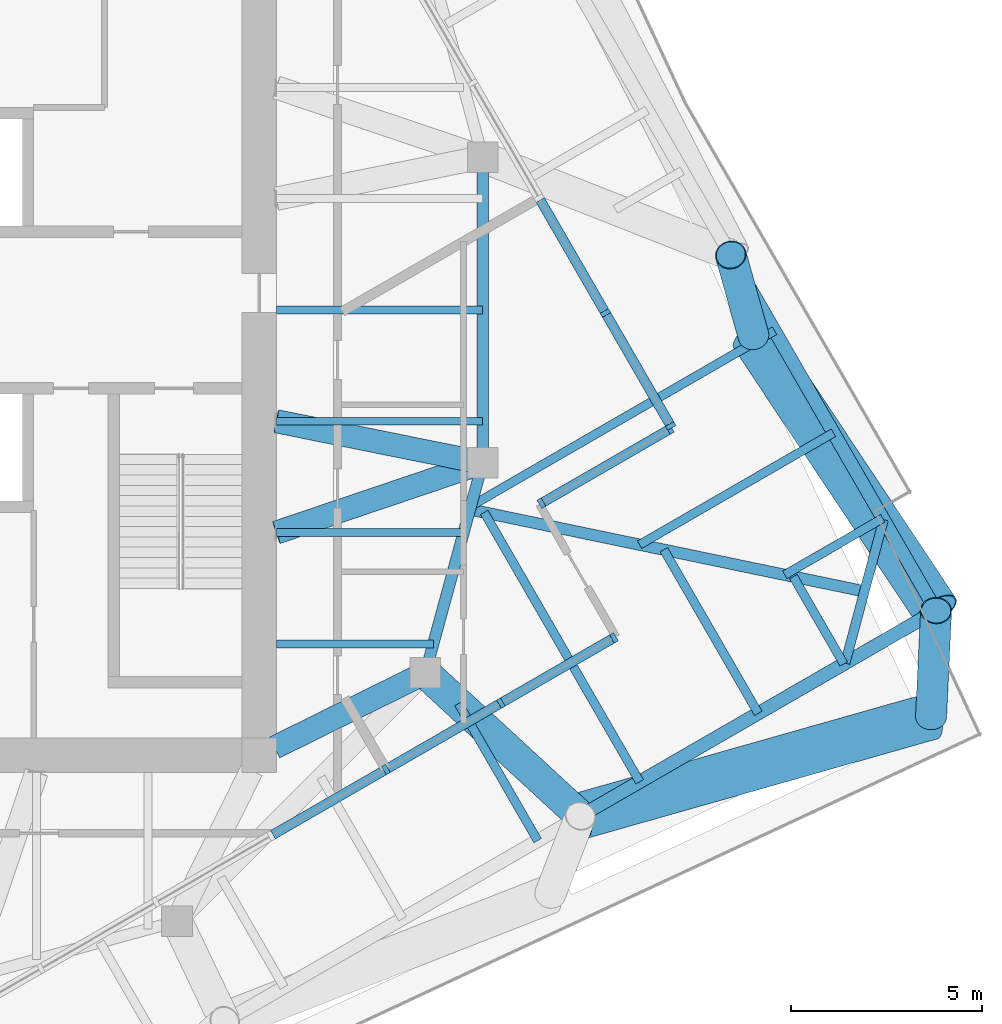
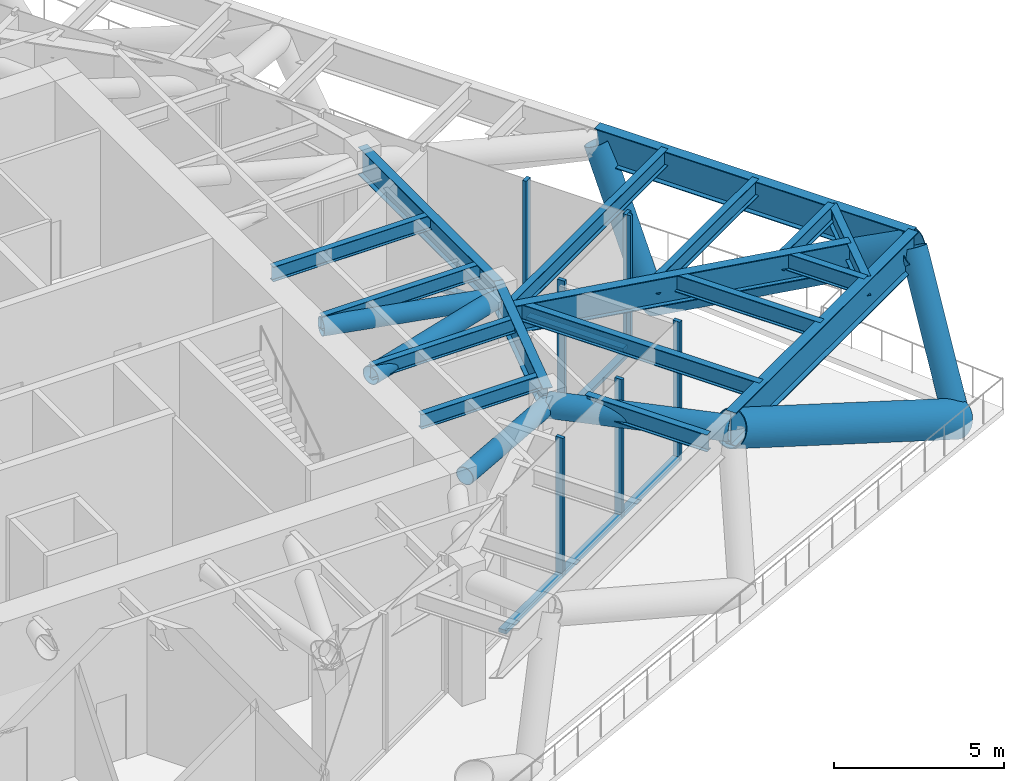
# One storey, part 3 of 12: 21 members, 17 beams, 3 elements without a shape of their own.
"""IFC4 building model written with IfcOpenShell, lengths in metres."""

from ifc_helpers import new_model, si_unit, direction, frame, origin, origin_2d, place, context, subcontext, project, spatial, rectangle, hollow_circle, i_section, extrude, material, material_profile, profile_set, type_object, element, aggregate, save


model = new_model("IFC4")

# Units and contexts
model_context = context("Model", 3, precision=1e-05, world=origin(), true_north=direction((0.0, 1.0)))
body_context = subcontext(model_context, "Body", "Model", "MODEL_VIEW")
ifc_project = project(units=[si_unit("LENGTHUNIT", "METRE"), si_unit("AREAUNIT", "SQUARE_METRE"), si_unit("VOLUMEUNIT", "CUBIC_METRE"), si_unit("PLANEANGLEUNIT", "RADIAN"), si_unit("MASSUNIT", "GRAM", prefix="KILO")], contexts=[model_context])

# Site, building, storey
site_placement = place(None, origin())
site = spatial("IfcSite", under=ifc_project, at=site_placement, CompositionType="ELEMENT")
building_placement = place(site_placement, origin())
building = spatial("IfcBuilding", under=site, at=building_placement, Name="Torsade Residences", CompositionType="ELEMENT")
storey_placement = place(building_placement, frame((0.0, 0.0, 203.199951171875)))
storey = spatial("IfcBuildingStorey", under=building, at=storey_placement, Name="L56", CompositionType="ELEMENT", Elevation=203.199951171875)

# Beams
ifc_material_1 = material(Name="Steel grade 300", Category="steel")
ifc_material_profile_1 = material_profile(ifc_material_1, i_section(OverallWidth=0.300048828125, OverallDepth=1.0, WebThickness=0.01611328125, FlangeThickness=0.028076171875, at=origin_2d()), Name="1000WB215")
ifc_profile_set_1 = profile_set([ifc_material_profile_1], Name="Steel grade 300")
beam_type_1 = type_object("IfcBeamType", Name="CORNER GIRDER 1000WB215", PredefinedType="BEAM", material=ifc_profile_set_1)
beam_1_placement = place(storey_placement, frame((67.4912109375, 22.6337890625, 4.35009765625), z_axis=(-0.979086612486, 0.203443862654, 0.0), x_axis=(-0.203443862654, -0.979086612486, 0.0)))
element("IfcBeam", 1, at=beam_1_placement, inside=storey, type_object=beam_type_1, Name="Corner girder 05 L57", PredefinedType="BEAM", context=body_context, shape_type="SweptSolid", body=[
    extrude(i_section(OverallWidth=0.300048828125, OverallDepth=1.0, WebThickness=0.01611328125, FlangeThickness=0.028076171875, at=origin_2d()), origin(), (0.0, 0.0, 1.0), 10.544677734375),
])
ifc_material_2 = material(Name="Steel grade 300", Category="steel")
ifc_material_profile_2 = material_profile(ifc_material_2, i_section(OverallWidth=0.25, OverallDepth=0.699951171875, WebThickness=0.010009765625, FlangeThickness=0.02001953125, at=origin_2d()), Name="700WB130")
ifc_profile_set_2 = profile_set([ifc_material_profile_2], Name="Steel grade 300")
beam_type_2 = type_object("IfcBeamType", Name="CORNER TRIMMER 700WB130", PredefinedType="BEAM", material=ifc_profile_set_2)
beam_2_placement = place(storey_placement, frame((67.99462890625, 24.511962890625, 4.5), z_axis=(-0.258822897619, -0.965924794002, 0.0), x_axis=(0.965924794002, -0.258822897619, 0.0)))
element("IfcBeam", 2, at=beam_2_placement, inside=storey, type_object=beam_type_2, Name="Corner trimmer 05 L57", PredefinedType="BEAM", context=body_context, shape_type="SweptSolid", body=[
    extrude(i_section(OverallWidth=0.25, OverallDepth=0.699951171875, WebThickness=0.010009765625, FlangeThickness=0.02001953125, at=origin_2d()), origin(), (0.0, 0.0, 1.0), 3.88916015625),
])

# Curtain wall, members
ifc_material_3 = material(Name="Aluminium and glass", Category="aluminium")
curtain_wall_type = type_object("IfcCurtainWallType", Name="TRANSFER LEVEL CURTAIN WALL HIGH ZONE", PredefinedType="NOTDEFINED", material=ifc_material_3)
curtain_wall_1_placement = place(storey_placement, origin())
curtain_wall_1 = element("IfcCurtainWall", 3, at=curtain_wall_1_placement, inside=storey, type_object=curtain_wall_type, Name="Curtain wall L56 face 1", PredefinedType="NOTDEFINED")
ifc_material_4 = material(Name="Aluminium mullion", Category="aluminium")
ifc_material_profile_3 = material_profile(ifc_material_4, rectangle(XDim=0.25, YDim=0.1201171875, at=origin_2d()), Name="HIGH ZONE TRANSFER CURTAIN WALL MULLION 250x120")
ifc_profile_set_3 = profile_set([ifc_material_profile_3], Name="Aluminium mullion")
member_type_1 = type_object("IfcMemberType", Name="HIGH ZONE TRANSFER CURTAIN WALL MULLION 250x120", PredefinedType="MULLION", material=ifc_profile_set_3)
member_1_placement = place(storey_placement, frame((54.968994140625, 17.97314453125, 0.0), z_axis=(0.0, 0.0, 1.0), x_axis=(-0.500000003507, 0.86602540176, 0.0)))
member_1 = element("IfcMember", 4, at=member_1_placement, type_object=member_type_1, Name="Mullion 7", PredefinedType="MULLION", context=body_context, shape_type="SweptSolid", body=[
    extrude(rectangle(XDim=0.25, YDim=0.1201171875, at=origin_2d()), origin(), (0.0, 0.0, 1.0), 5.0),
])
member_2_placement = place(storey_placement, frame((57.978271484375, 19.710693359375, 0.0), z_axis=(0.0, 0.0, 1.0), x_axis=(-0.500000003507, 0.86602540176, 0.0)))
member_2 = element("IfcMember", 5, at=member_2_placement, type_object=member_type_1, Name="Mullion 8", PredefinedType="MULLION", context=body_context, shape_type="SweptSolid", body=[
    extrude(rectangle(XDim=0.25, YDim=0.1201171875, at=origin_2d()), origin(), (0.0, 0.0, 1.0), 5.0),
])
member_3_placement = place(storey_placement, frame((60.935791015625, 21.418212890625, 0.0), z_axis=(0.0, 0.0, 1.0), x_axis=(-0.500000003507, 0.86602540176, 0.0)))
member_3 = element("IfcMember", 6, at=member_3_placement, type_object=member_type_1, Name="Mullion 9", PredefinedType="MULLION", context=body_context, shape_type="SweptSolid", body=[
    extrude(rectangle(XDim=0.25, YDim=0.1201171875, at=origin_2d()), origin(), (0.0, 0.0, 1.0), 5.0),
])

curtain_wall_2_placement = place(storey_placement, origin())
curtain_wall_2 = element("IfcCurtainWall", 7, at=curtain_wall_2_placement, inside=storey, type_object=curtain_wall_type, Name="Curtain wall L56 face 3", PredefinedType="NOTDEFINED")
member_4_placement = place(storey_placement, frame((59.039794921875, 24.942138671875, 0.0), z_axis=(0.0, 0.0, 1.0), x_axis=(-0.499999958343, 0.866025427835, 0.0)))
member_4 = element("IfcMember", 8, at=member_4_placement, type_object=member_type_1, Name="Mullion 1", PredefinedType="MULLION", context=body_context, shape_type="SweptSolid", body=[
    extrude(rectangle(XDim=0.25, YDim=0.1201171875, at=origin_2d()), origin(), (0.0, 0.0, 1.0), 5.0),
])
member_5_placement = place(storey_placement, frame((62.39990234375, 26.88232421875, 0.0), z_axis=(0.0, 0.0, 1.0), x_axis=(-0.499999958343, 0.866025427835, 0.0)))
member_5 = element("IfcMember", 9, at=member_5_placement, type_object=member_type_1, Name="Mullion 2", PredefinedType="MULLION", context=body_context, shape_type="SweptSolid", body=[
    extrude(rectangle(XDim=0.25, YDim=0.1201171875, at=origin_2d()), origin(), (0.0, 0.0, 1.0), 5.0),
])

curtain_wall_3_placement = place(storey_placement, origin())
curtain_wall_3 = element("IfcCurtainWall", 10, at=curtain_wall_3_placement, inside=storey, type_object=curtain_wall_type, Name="Curtain wall L56 face 4", PredefinedType="NOTDEFINED")
member_6_placement = place(storey_placement, frame((62.421875, 26.964111328125, 0.0), z_axis=(0.0, 0.0, 1.0), x_axis=(-0.86602540176, -0.500000003507, 0.0)))
member_6 = element("IfcMember", 11, at=member_6_placement, type_object=member_type_1, Name="Mullion 1", PredefinedType="MULLION", context=body_context, shape_type="SweptSolid", body=[
    extrude(rectangle(XDim=0.25, YDim=0.1201171875, at=origin_2d()), origin(), (0.0, 0.0, 1.0), 5.0),
])
member_7_placement = place(storey_placement, frame((60.71435546875, 29.921630859375, 0.0), z_axis=(0.0, 0.0, 1.0), x_axis=(-0.86602540176, -0.500000003507, 0.0)))
member_7 = element("IfcMember", 12, at=member_7_placement, type_object=member_type_1, Name="Mullion 2", PredefinedType="MULLION", context=body_context, shape_type="SweptSolid", body=[
    extrude(rectangle(XDim=0.25, YDim=0.1201171875, at=origin_2d()), origin(), (0.0, 0.0, 1.0), 5.0),
])

# Member
ifc_material_5 = material(Name="Aluminium transom", Category="aluminium")
ifc_material_profile_4 = material_profile(ifc_material_5, rectangle(XDim=0.25, YDim=0.139892578125, at=origin_2d()), Name="HIGH ZONE TRANSFER CURTAIN WALL TRANSOM 250x140")
ifc_profile_set_4 = profile_set([ifc_material_profile_4], Name="Aluminium transom")
member_type_2 = type_object("IfcMemberType", Name="HIGH ZONE TRANSFER CURTAIN WALL TRANSOM 250x140", PredefinedType="USERDEFINED", material=ifc_profile_set_4)
member_8_placement = place(storey_placement, frame((52.011474609375, 16.265625, 0.070068359375), z_axis=(0.866026839176, 0.499997513821, 0.0), x_axis=(-0.499997513821, 0.866026839176, 0.0)))
member_8 = element("IfcMember", 13, at=member_8_placement, type_object=member_type_2, Name="Transom 6.1", ObjectType="TRANSOM", PredefinedType="USERDEFINED", context=body_context, shape_type="SweptSolid", body=[
    extrude(rectangle(XDim=0.25, YDim=0.139892578125, at=origin_2d()), origin(), (0.0, 0.0, 1.0), 3.35498046875),
])

member_9_placement = place(storey_placement, frame((55.020751953125, 18.003173828125, 0.070068359375), z_axis=(0.866026839176, 0.499997513821, 0.0), x_axis=(-0.499997513821, 0.866026839176, 0.0)))
member_9 = element("IfcMember", 14, at=member_9_placement, type_object=member_type_2, Name="Transom 7.1", ObjectType="TRANSOM", PredefinedType="USERDEFINED", context=body_context, shape_type="SweptSolid", body=[
    extrude(rectangle(XDim=0.25, YDim=0.139892578125, at=origin_2d()), origin(), (0.0, 0.0, 1.0), 3.35498046875),
])

member_10_placement = place(storey_placement, frame((58.0302734375, 19.74072265625, 0.070068359375), z_axis=(0.866027647951, 0.499996112969, 0.0), x_axis=(-0.499996112969, 0.866027647951, 0.0)))
member_10 = element("IfcMember", 15, at=member_10_placement, type_object=member_type_2, Name="Transom 8.1", ObjectType="TRANSOM", PredefinedType="USERDEFINED", context=body_context, shape_type="SweptSolid", body=[
    extrude(rectangle(XDim=0.25, YDim=0.139892578125, at=origin_2d()), origin(), (0.0, 0.0, 1.0), 3.294921875),
])

aggregate(curtain_wall_1, [member_1, member_2, member_3, member_8, member_9, member_10])

member_11_placement = place(storey_placement, frame((59.091796875, 24.97216796875, 0.070068359375), z_axis=(0.866000675424, 0.50004282833, 0.0), x_axis=(-0.50004282833, 0.866000675424, 0.0)))
member_11 = element("IfcMember", 16, at=member_11_placement, type_object=member_type_2, Name="Transom 1.1", ObjectType="TRANSOM", PredefinedType="USERDEFINED", context=body_context, shape_type="SweptSolid", body=[
    extrude(rectangle(XDim=0.25, YDim=0.139892578125, at=origin_2d()), origin(), (0.0, 0.0, 1.0), 3.760009765625),
])

aggregate(curtain_wall_2, [member_4, member_5, member_11])

member_12_placement = place(storey_placement, frame((62.391845703125, 27.01611328125, 0.070068359375), z_axis=(-0.499996112969, 0.866027647951, 0.0), x_axis=(-0.866027647951, -0.499996112969, 0.0)))
member_12 = element("IfcMember", 17, at=member_12_placement, type_object=member_type_2, Name="Transom 1.1", ObjectType="TRANSOM", PredefinedType="USERDEFINED", context=body_context, shape_type="SweptSolid", body=[
    extrude(rectangle(XDim=0.25, YDim=0.139892578125, at=origin_2d()), origin(), (0.0, 0.0, 1.0), 3.294921875),
])

member_13_placement = place(storey_placement, frame((60.684326171875, 29.9736328125, 0.070068359375), z_axis=(-0.499997513821, 0.866026839176, 0.0), x_axis=(-0.866026839176, -0.499997513821, 0.0)))
member_13 = element("IfcMember", 18, at=member_13_placement, type_object=member_type_2, Name="Transom 2.1", ObjectType="TRANSOM", PredefinedType="USERDEFINED", context=body_context, shape_type="SweptSolid", body=[
    extrude(rectangle(XDim=0.25, YDim=0.139892578125, at=origin_2d()), origin(), (0.0, 0.0, 1.0), 3.35498046875),
])

aggregate(curtain_wall_3, [member_6, member_7, member_12, member_13])

# Beams
ifc_material_6 = material(Name="Steel grade 300", Category="steel")
ifc_material_profile_5 = material_profile(ifc_material_6, i_section(OverallWidth=0.208984375, OverallDepth=0.528076171875, WebThickness=0.009521484375, FlangeThickness=0.01318359375, FilletRadius=0.013916015625, at=origin_2d()), Name="530UB82.0")
ifc_profile_set_5 = profile_set([ifc_material_profile_5], Name="Steel grade 300")
beam_type_3 = type_object("IfcBeamType", Name="INNER FLOOR BEAM 530UB82.0", PredefinedType="JOIST", material=ifc_profile_set_5)
beam_3_placement = place(storey_placement, frame((52.10009765625, 21.262451171875, 4.5859375), z_axis=(1.0, 0.0, 0.0), x_axis=(0.0, 1.0, 0.0)))
element("IfcBeam", 19, at=beam_3_placement, inside=storey, type_object=beam_type_3, Name="Inner floor beam IE01 L57", PredefinedType="JOIST", context=body_context, shape_type="SweptSolid", body=[
    extrude(i_section(OverallWidth=0.208984375, OverallDepth=0.528076171875, WebThickness=0.009521484375, FlangeThickness=0.01318359375, FilletRadius=0.013916015625, at=origin_2d()), origin(), (0.0, 0.0, 1.0), 4.10791015625),
])
beam_4_placement = place(storey_placement, frame((52.10009765625, 24.175048828125, 4.5859375), z_axis=(1.0, 0.0, 0.0), x_axis=(0.0, 1.0, 0.0)))
element("IfcBeam", 20, at=beam_4_placement, inside=storey, type_object=beam_type_3, Name="Inner floor beam IE02 L57", PredefinedType="JOIST", context=body_context, shape_type="SweptSolid", body=[
    extrude(i_section(OverallWidth=0.208984375, OverallDepth=0.528076171875, WebThickness=0.009521484375, FlangeThickness=0.01318359375, FilletRadius=0.013916015625, at=origin_2d()), origin(), (0.0, 0.0, 1.0), 4.902099609375),
])
for number, where, z_axis, x_axis, name in (
    (21, (52.10009765625, 27.08740234375, 4.5859375), (1.0, 0.0, 0.0), (0.0, 1.0, 0.0), "Inner floor beam IE03 L57"),
    (22, (52.10009765625, 30.0, 4.5859375), (1.0, 0.0, 0.0), (0.0, 1.0, 0.0), "Inner floor beam IE04 L57"),
):
    element("IfcBeam", number, at=place(storey_placement, frame(where, z_axis=z_axis, x_axis=x_axis)), inside=storey, type_object=beam_type_3, Name=name, PredefinedType="JOIST", context=body_context, shape_type="SweptSolid", body=[
        extrude(i_section(OverallWidth=0.208984375, OverallDepth=0.528076171875, WebThickness=0.009521484375, FlangeThickness=0.01318359375, FilletRadius=0.013916015625, at=origin_2d()), origin(), (0.0, 0.0, 1.0), 5.39990234375),
    ])
ifc_material_7 = material(Name="Steel grade 300", Category="steel")
ifc_material_profile_6 = material_profile(ifc_material_7, i_section(OverallWidth=0.300048828125, OverallDepth=1.0, WebThickness=0.01611328125, FlangeThickness=0.028076171875, at=origin_2d()), Name="1000WB215")
ifc_profile_set_6 = profile_set([ifc_material_profile_6], Name="Steel grade 300")
beam_type_4 = type_object("IfcBeamType", Name="RING GIRDER 1000WB215", PredefinedType="BEAM", material=ifc_profile_set_6)
beam_5_placement = place(storey_placement, frame((57.5, 26.0, 4.35009765625), z_axis=(0.0, 1.0, 0.0), x_axis=(-1.0, 0.0, 0.0)))
element("IfcBeam", 23, at=beam_5_placement, inside=storey, type_object=beam_type_4, Name="Ring girder IR01 L57", PredefinedType="BEAM", context=body_context, shape_type="SweptSolid", body=[
    extrude(i_section(OverallWidth=0.300048828125, OverallDepth=1.0, WebThickness=0.01611328125, FlangeThickness=0.028076171875, at=origin_2d()), origin(), (0.0, 0.0, 1.0), 8.0),
])
beam_6_placement = place(storey_placement, frame((56.0, 20.5, 4.35009765625), z_axis=(0.263117405792, 0.964763821238, 0.0), x_axis=(-0.964763821238, 0.263117405792, 0.0)))
element("IfcBeam", 24, at=beam_6_placement, inside=storey, type_object=beam_type_4, Name="Ring girder IR16 L57", PredefinedType="BEAM", context=body_context, shape_type="SweptSolid", body=[
    extrude(i_section(OverallWidth=0.300048828125, OverallDepth=1.0, WebThickness=0.01611328125, FlangeThickness=0.028076171875, at=origin_2d()), origin(), (0.0, 0.0, 1.0), 5.700927734375),
])
ifc_material_8 = material(Name="Steel grade 300", Category="steel")
ifc_material_profile_7 = material_profile(ifc_material_8, i_section(OverallWidth=0.22900390625, OverallDepth=0.612060546875, WebThickness=0.011962890625, FlangeThickness=0.01953125, FilletRadius=0.013916015625, at=origin_2d()), Name="610UB125")
ifc_profile_set_7 = profile_set([ifc_material_profile_7], Name="Steel grade 300")
beam_type_5 = type_object("IfcBeamType", Name="SECONDARY BEAM 610UB125", PredefinedType="JOIST", material=ifc_profile_set_7)
beam_7_placement = place(storey_placement, frame((58.941162109375, 16.109619140625, 4.5439453125), z_axis=(-0.499979160215, 0.866037435306, 0.0), x_axis=(-0.866037435306, -0.499979160215, 0.0)))
element("IfcBeam", 25, at=beam_7_placement, inside=storey, type_object=beam_type_5, Name="Floor beam FS09 L57", PredefinedType="JOIST", context=body_context, shape_type="SweptSolid", body=[
    extrude(i_section(OverallWidth=0.22900390625, OverallDepth=0.612060546875, WebThickness=0.011962890625, FlangeThickness=0.01953125, FilletRadius=0.013916015625, at=origin_2d()), origin(), (0.0, 0.0, 1.0), 4.143798828125),
])
beam_8_placement = place(storey_placement, frame((61.611328125, 17.6513671875, 4.5439453125), z_axis=(-0.500009753642, 0.866019772443, 0.0), x_axis=(-0.866019772443, -0.500009753642, 0.0)))
element("IfcBeam", 26, at=beam_8_placement, inside=storey, type_object=beam_type_5, Name="Floor beam FS10 L57", PredefinedType="JOIST", context=body_context, shape_type="SweptSolid", body=[
    extrude(i_section(OverallWidth=0.22900390625, OverallDepth=0.612060546875, WebThickness=0.011962890625, FlangeThickness=0.01953125, FilletRadius=0.013916015625, at=origin_2d()), origin(), (0.0, 0.0, 1.0), 8.140380859375),
])
beam_9_placement = place(storey_placement, frame((64.714599609375, 19.44287109375, 4.5439453125), z_axis=(-0.499963270073, 0.866046608779, 0.0), x_axis=(-0.866046608779, -0.499963270073, 0.0)))
element("IfcBeam", 27, at=beam_9_placement, inside=storey, type_object=beam_type_5, Name="Floor beam FS11 L57", PredefinedType="JOIST", context=body_context, shape_type="SweptSolid", body=[
    extrude(i_section(OverallWidth=0.22900390625, OverallDepth=0.612060546875, WebThickness=0.011962890625, FlangeThickness=0.01953125, FilletRadius=0.013916015625, at=origin_2d()), origin(), (0.0, 0.0, 1.0), 4.943603515625),
])
beam_10_placement = place(storey_placement, frame((66.951904296875, 20.734619140625, 4.5439453125), z_axis=(-0.500029427677, 0.866008413041, 0.0), x_axis=(-0.866008413041, -0.500029427677, 0.0)))
element("IfcBeam", 28, at=beam_10_placement, inside=storey, type_object=beam_type_5, Name="Floor beam FS12 L57", PredefinedType="JOIST", context=body_context, shape_type="SweptSolid", body=[
    extrude(i_section(OverallWidth=0.22900390625, OverallDepth=0.612060546875, WebThickness=0.011962890625, FlangeThickness=0.01953125, FilletRadius=0.013916015625, at=origin_2d()), origin(), (0.0, 0.0, 1.0), 2.638916015625),
])
beam_11_placement = place(storey_placement, frame((67.9736328125, 24.548095703125, 4.5439453125), z_axis=(-0.866023667193, -0.500003007852, 0.0), x_axis=(0.500003007852, -0.866023667193, 0.0)))
element("IfcBeam", 29, at=beam_11_placement, inside=storey, type_object=beam_type_5, Name="Floor beam FE01 L57", PredefinedType="JOIST", context=body_context, shape_type="SweptSolid", body=[
    extrude(i_section(OverallWidth=0.22900390625, OverallDepth=0.612060546875, WebThickness=0.011962890625, FlangeThickness=0.01953125, FilletRadius=0.013916015625, at=origin_2d()), origin(), (0.0, 0.0, 1.0), 2.962890625),
])
beam_12_placement = place(storey_placement, frame((66.68212890625, 26.785400390625, 4.5439453125), z_axis=(-0.866034304969, -0.49998458238, 0.0), x_axis=(0.49998458238, -0.866034304969, 0.0)))
element("IfcBeam", 30, at=beam_12_placement, inside=storey, type_object=beam_type_5, Name="Floor beam FE02 L57", PredefinedType="JOIST", context=body_context, shape_type="SweptSolid", body=[
    extrude(i_section(OverallWidth=0.22900390625, OverallDepth=0.612060546875, WebThickness=0.011962890625, FlangeThickness=0.01953125, FilletRadius=0.013916015625, at=origin_2d()), origin(), (0.0, 0.0, 1.0), 5.858642578125),
])
beam_13_placement = place(storey_placement, frame((65.140380859375, 29.45556640625, 4.5439453125), z_axis=(-0.866021712342, -0.500006393711, 0.0), x_axis=(0.500006393711, -0.866021712342, 0.0)))
element("IfcBeam", 31, at=beam_13_placement, inside=storey, type_object=beam_type_5, Name="Floor beam FE03 L57", PredefinedType="JOIST", context=body_context, shape_type="SweptSolid", body=[
    extrude(i_section(OverallWidth=0.22900390625, OverallDepth=0.612060546875, WebThickness=0.011962890625, FlangeThickness=0.01953125, FilletRadius=0.013916015625, at=origin_2d()), origin(), (0.0, 0.0, 1.0), 9.1796875),
])

# Members
ifc_material_9 = material(Name="Steel grade 450", Category="steel")
ifc_material_profile_8 = material_profile(ifc_material_9, hollow_circle(Radius=0.304931640625, WallThickness=0.01611328125, at=origin_2d()), Name="610.0x16.0CHS")
ifc_profile_set_8 = profile_set([ifc_material_profile_8], Name="Steel grade 450")
member_type_3 = type_object("IfcMemberType", Name="TRANSFER FLOOR BRACE 610.0x16.0CHS", PredefinedType="BRACE", material=ifc_profile_set_8)
member_14_placement = place(storey_placement, frame((57.5, 26.0, 4.25), z_axis=(-0.97976207845, 0.197299045909, 0.03375434957), x_axis=(-0.197411538983, -0.980320704809, 0.0)))
element("IfcMember", 32, at=member_14_placement, inside=storey, type_object=member_type_3, Name="Transfer floor brace TT6 top IR01IE03", PredefinedType="BRACE", context=body_context, shape_type="SweptSolid", body=[
    extrude(hollow_circle(Radius=0.304931640625, WallThickness=0.01611328125, at=origin_2d()), origin(), (0.0, 0.0, 1.0), 5.511474609375),
])
member_15_placement = place(storey_placement, frame((57.5, 26.0, 4.25), z_axis=(-0.946855969774, -0.319999474368, 0.032620682203), x_axis=(0.320169867513, -0.947360151124, 0.0)))
element("IfcMember", 33, at=member_15_placement, inside=storey, type_object=member_type_3, Name="Transfer floor brace TT6 top IR01IE02", PredefinedType="BRACE", context=body_context, shape_type="SweptSolid", body=[
    extrude(hollow_circle(Radius=0.304931640625, WallThickness=0.01611328125, at=origin_2d()), origin(), (0.0, 0.0, 1.0), 5.702880859375),
])
member_16_placement = place(storey_placement, frame((56.0, 20.5, 4.25), z_axis=(-0.896469701914, -0.443105036702, 0.0), x_axis=(0.443105036702, -0.896469701914, 0.0)))
element("IfcMember", 34, at=member_16_placement, inside=storey, type_object=member_type_3, Name="Transfer floor brace TT6 top IR16C", PredefinedType="BRACE", context=body_context, shape_type="SweptSolid", body=[
    extrude(hollow_circle(Radius=0.304931640625, WallThickness=0.01611328125, at=origin_2d()), origin(), (0.0, 0.0, 1.0), 4.40234375),
])
ifc_material_10 = material(Name="Steel grade 450", Category="steel")
ifc_material_profile_9 = material_profile(ifc_material_10, hollow_circle(Radius=0.406494140625, WallThickness=0.02490234375, at=origin_2d()), Name="813.0x25.0CHS")
ifc_profile_set_9 = profile_set([ifc_material_profile_9], Name="Steel grade 450")
member_type_4 = type_object("IfcMemberType", Name="TRANSFER FLOOR STRUT 813.0x25.0CHS", PredefinedType="STRUT", material=ifc_profile_set_9)
member_17_placement = place(storey_placement, frame((60.059814453125, 16.75537109375, 4.25), z_axis=(-0.735064376029, 0.67799731791, 0.0), x_axis=(-0.67799731791, -0.735064376029, 0.0)))
element("IfcMember", 35, at=member_17_placement, inside=storey, type_object=member_type_4, Name="Transfer floor strut TT6 top 04IR16", PredefinedType="STRUT", context=body_context, shape_type="SweptSolid", body=[
    extrude(hollow_circle(Radius=0.406494140625, WallThickness=0.02490234375, at=origin_2d()), origin(), (0.0, 0.0, 1.0), 5.523193359375),
])

# Beams
ifc_material_11 = material(Name="Steel grade 350", Category="steel")
ifc_material_profile_10 = material_profile(ifc_material_11, i_section(OverallWidth=0.35009765625, OverallDepth=1.199951171875, WebThickness=0.01611328125, FlangeThickness=0.028076171875, at=origin_2d()), Name="1200WB278")
ifc_profile_set_10 = profile_set([ifc_material_profile_10], Name="Steel grade 350")
beam_type_6 = type_object("IfcBeamType", Name="TRANSFER TRUSS CHORD 1200WB278", PredefinedType="USERDEFINED", material=ifc_profile_set_10)
for number, where, z_axis, x_axis, name in (
    (36, (60.059814453125, 16.75537109375, 4.25), (0.866026365697, 0.499998333915, 0.0), (-0.499998333915, 0.866026365697, 0.0), "Transfer truss TT6 top chord 04"),
    (37, (69.36962890625, 22.13037109375, 4.25), (-0.499998333915, 0.866026365697, 0.0), (-0.866026365697, -0.499998333915, 0.0), "Transfer truss TT6 top chord 05"),
):
    element("IfcBeam", number, at=place(storey_placement, frame(where, z_axis=z_axis, x_axis=x_axis)), inside=storey, type_object=beam_type_6, Name=name, ObjectType="TRANSFER TRUSS CHORD", PredefinedType="USERDEFINED", context=body_context, shape_type="SweptSolid", body=[
        extrude(i_section(OverallWidth=0.35009765625, OverallDepth=1.199951171875, WebThickness=0.01611328125, FlangeThickness=0.028076171875, at=origin_2d()), origin(), (0.0, 0.0, 1.0), 10.75),
    ])

# Members
ifc_material_12 = material(Name="Steel grade 450", Category="steel")
ifc_material_profile_11 = material_profile(ifc_material_12, hollow_circle(Radius=0.609619140625, WallThickness=0.031982421875, at=origin_2d()), Name="1219.0x32.0CHS")
ifc_profile_set_11 = profile_set([ifc_material_profile_11], Name="Steel grade 450")
member_type_5 = type_object("IfcMemberType", Name="TRANSFER TRUSS DIAGONAL 1219.0x32.0CHS", PredefinedType="BRACE", material=ifc_profile_set_11)
member_18_placement = place(storey_placement, frame((69.236328125, 19.35888671875, -0.199951171875), z_axis=(-0.871826088855, -0.247350238422, 0.422773142884), x_axis=(0.272942546546, -0.962030335429, 0.0)))
element("IfcMember", 38, at=member_18_placement, inside=storey, type_object=member_type_5, Name="Transfer truss TT6 diagonal 04", PredefinedType="BRACE", context=body_context, shape_type="SweptSolid", body=[
    extrude(hollow_circle(Radius=0.609619140625, WallThickness=0.031982421875, at=origin_2d()), origin(), (0.0, 0.0, 1.0), 10.525634765625),
])
member_19_placement = place(storey_placement, frame((64.587646484375, 29.328125, -0.199951171875), z_axis=(0.491976930224, -0.740514823958, 0.457817098442), x_axis=(0.832931579885, 0.553375987219, 0.0)))
element("IfcMember", 39, at=member_19_placement, inside=storey, type_object=member_type_5, Name="Transfer truss TT6 diagonal 05", PredefinedType="BRACE", context=body_context, shape_type="SweptSolid", body=[
    extrude(hollow_circle(Radius=0.609619140625, WallThickness=0.031982421875, at=origin_2d()), origin(), (0.0, 0.0, 1.0), 9.719970703125),
])
ifc_material_13 = material(Name="Steel grade 450", Category="steel")
ifc_material_profile_12 = material_profile(ifc_material_13, hollow_circle(Radius=0.406494140625, WallThickness=0.02490234375, at=origin_2d()), Name="813.0x25.0CHS")
ifc_profile_set_12 = profile_set([ifc_material_profile_12], Name="Steel grade 450")
member_type_6 = type_object("IfcMemberType", Name="TRANSFER TRUSS RAKING STRUT 813.0x25.0CHS", PredefinedType="STRUT", material=ifc_profile_set_12)
member_20_placement = place(storey_placement, frame((69.236328125, 19.35888671875, -0.199951171875), z_axis=(0.025419017855, 0.528492107494, 0.848557579571), x_axis=(-0.998845330172, 0.04804171514, 0.0)))
element("IfcMember", 40, at=member_20_placement, inside=storey, type_object=member_type_6, Name="Transfer truss TT6 raking strut 05", PredefinedType="STRUT", context=body_context, shape_type="SweptSolid", body=[
    extrude(hollow_circle(Radius=0.406494140625, WallThickness=0.02490234375, at=origin_2d()), origin(), (0.0, 0.0, 1.0), 5.244140625),
])
member_21_placement = place(storey_placement, frame((64.587646484375, 29.328125, -0.199951171875), z_axis=(-0.119528576841, 0.425706759262, 0.896931811476), x_axis=(-0.962769590451, -0.270323353971, 0.0)))
element("IfcMember", 41, at=member_21_placement, inside=storey, type_object=member_type_6, Name="Transfer truss TT6 raking strut 06", PredefinedType="STRUT", context=body_context, shape_type="SweptSolid", body=[
    extrude(hollow_circle(Radius=0.406494140625, WallThickness=0.02490234375, at=origin_2d()), origin(), (0.0, 0.0, 1.0), 4.96142578125),
])

save(model, "model.ifc")
